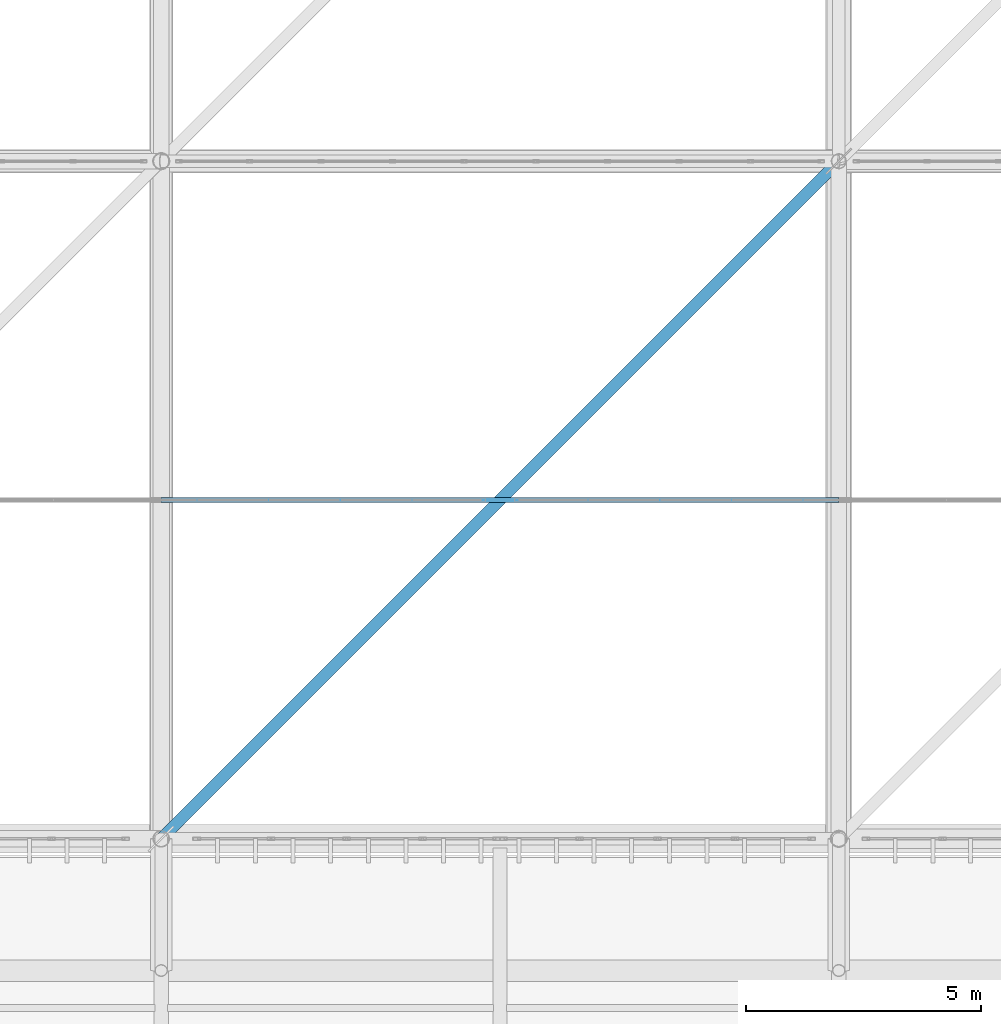
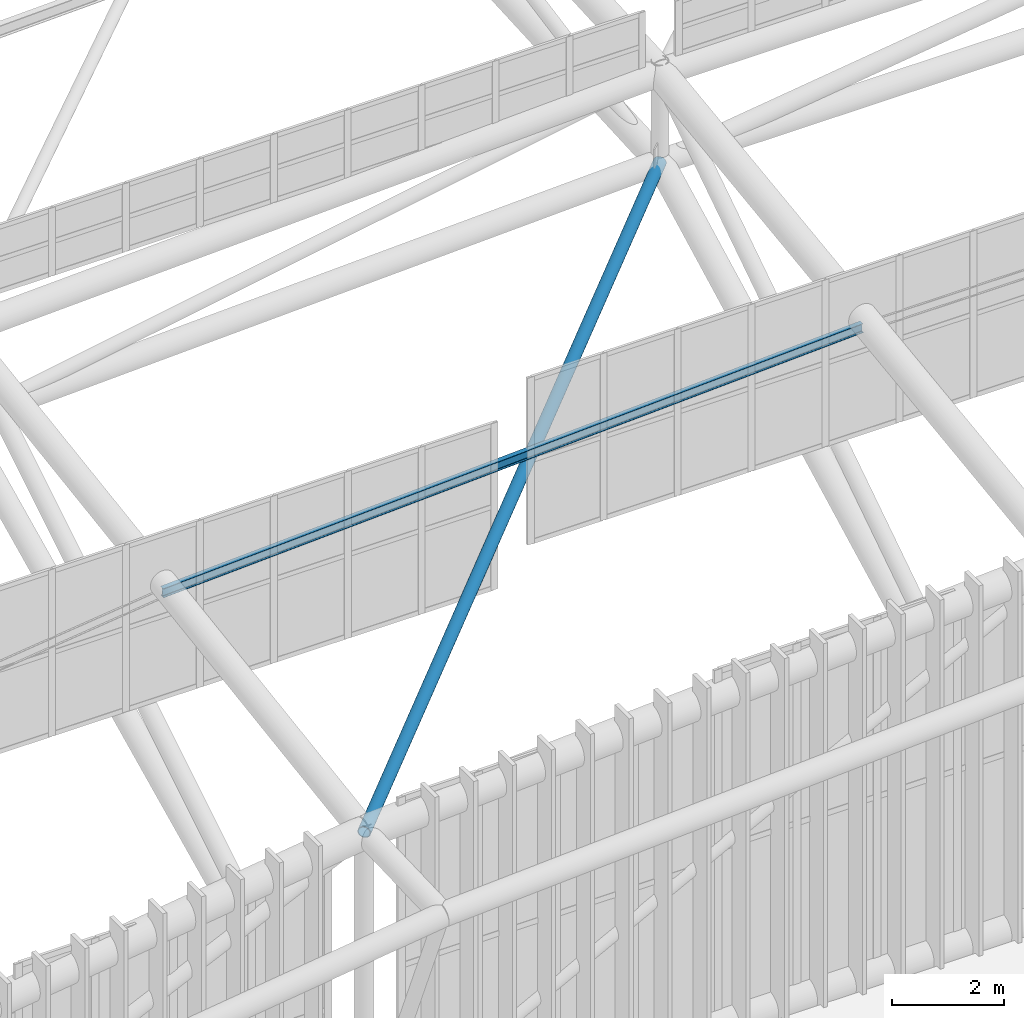
# One storey, part 39 of 397: 2 members.
"""IFC4 building model written with IfcOpenShell, lengths in metres."""

from ifc_helpers import new_model, si_unit, direction, frame, origin, origin_2d, place, context, subcontext, project, spatial, hollow_circle, i_section, extrude, material, material_profile, profile_set, type_object, element, save


model = new_model("IFC4")

# Units and contexts
model_context = context("Model", 3, precision=1e-05, world=origin(), true_north=direction((0.0, 1.0)))
body_context = subcontext(model_context, "Body", "Model", "MODEL_VIEW")
ifc_project = project(units=[si_unit("LENGTHUNIT", "METRE"), si_unit("AREAUNIT", "SQUARE_METRE"), si_unit("VOLUMEUNIT", "CUBIC_METRE"), si_unit("PLANEANGLEUNIT", "RADIAN"), si_unit("MASSUNIT", "GRAM", prefix="KILO")], contexts=[model_context])

# Site, building, storey
site_placement = place(None, origin())
site = spatial("IfcSite", under=ifc_project, at=site_placement, CompositionType="ELEMENT")
building_placement = place(site_placement, origin())
building = spatial("IfcBuilding", under=site, at=building_placement, Name="Qandorah Velis Arena", CompositionType="ELEMENT")
storey_placement = place(building_placement, frame((0.0, 0.0, 27.5)))
storey = spatial("IfcBuildingStorey", under=building, at=storey_placement, Name="RF", CompositionType="ELEMENT", Elevation=27.5)

# Members
ifc_material = material(Name="Steel S355", Category="steel")
ifc_material_profile_1 = material_profile(ifc_material, i_section(OverallWidth=0.10009765625, OverallDepth=0.199951171875, WebThickness=0.005615234375, FlangeThickness=0.008544921875, FilletRadius=0.011962890625, at=origin_2d()), Name="IPE 200")
ifc_profile_set_1 = profile_set([ifc_material_profile_1], Name="Steel S355")
member_type_1 = type_object("IfcMemberType", Name="STR-PRL-IPE200", PredefinedType="PURLIN", material=ifc_profile_set_1)
member_1_placement = place(storey_placement, frame((43.199951171875, 21.60009765625, 7.659423828125), z_axis=(0.998717602589, 0.0, 0.050627564412), x_axis=(0.0, 1.0, 0.0)))
element("IfcMember", 1, at=member_1_placement, inside=storey, type_object=member_type_1, Name="Arena roof purlin PRL-2.0", PredefinedType="PURLIN", context=body_context, shape_type="SweptSolid", body=[
    extrude(i_section(OverallWidth=0.10009765625, OverallDepth=0.199951171875, WebThickness=0.005615234375, FlangeThickness=0.008544921875, FilletRadius=0.011962890625, at=origin_2d()), origin(), (0.0, 0.0, 1.0), 14.418701171875),
])
ifc_material_profile_2 = material_profile(ifc_material, hollow_circle(Radius=0.122314453125, WallThickness=0.012451171875, at=origin_2d()), Name="CHS 244.5x12.5")
ifc_profile_set_2 = profile_set([ifc_material_profile_2], Name="Steel S355")
member_type_2 = type_object("IfcMemberType", Name="STR-SFD-CHS244X12", PredefinedType="STRUT", material=ifc_profile_set_2)
member_2_placement = place(storey_placement, frame((57.60009765625, 28.800048828125, 7.61328125), z_axis=(-0.706542646869, -0.706542646869, -0.039937154513), x_axis=(0.707106781187, -0.707106781187, 0.0)))
element("IfcMember", 2, at=member_2_placement, inside=storey, type_object=member_type_2, Name="Space frame roof spatial diagonal 2.0", PredefinedType="STRUT", context=body_context, shape_type="SweptSolid", body=[
    extrude(hollow_circle(Radius=0.122314453125, WallThickness=0.012451171875, at=origin_2d()), origin(), (0.0, 0.0, 1.0), 20.381103515625),
])

save(model, "model.ifc")
